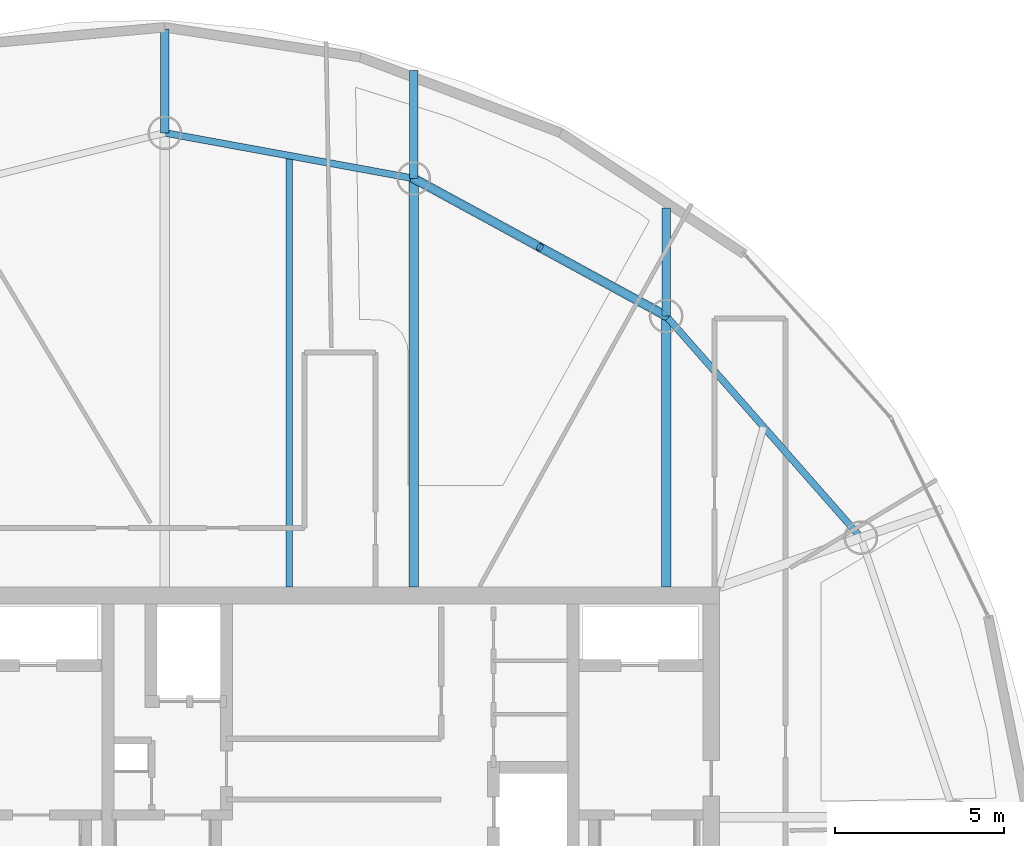
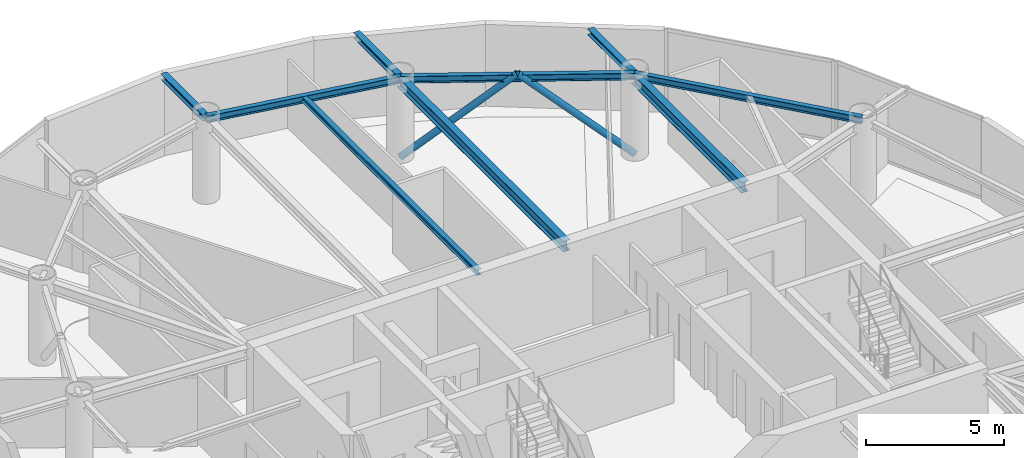
# One storey, part 13 of 21: 9 beams, 2 members.
"""IFC4 building model written with IfcOpenShell, lengths in metres."""

from ifc_helpers import new_model, si_unit, direction, frame, origin, origin_2d, place, context, subcontext, project, spatial, hollow_circle, i_section, extrude, material, material_profile, profile_set, type_object, element, save


model = new_model("IFC4")

# Units and contexts
model_context = context("Model", 3, precision=1e-05, world=origin(), true_north=direction((0.0, 1.0)))
body_context = subcontext(model_context, "Body", "Model", "MODEL_VIEW")
ifc_project = project(units=[si_unit("LENGTHUNIT", "METRE"), si_unit("AREAUNIT", "SQUARE_METRE"), si_unit("VOLUMEUNIT", "CUBIC_METRE"), si_unit("PLANEANGLEUNIT", "RADIAN"), si_unit("MASSUNIT", "GRAM", prefix="KILO")], contexts=[model_context])

# Site, building, storey
site_placement = place(None, origin())
site = spatial("IfcSite", under=ifc_project, at=site_placement, CompositionType="ELEMENT")
building_placement = place(site_placement, origin())
building = spatial("IfcBuilding", under=site, at=building_placement, Name="Bramvorn Convention Spire", CompositionType="ELEMENT")
storey_placement = place(building_placement, frame((0.0, 0.0, 257.449951171875)))
storey = spatial("IfcBuildingStorey", under=building, at=storey_placement, Name="L65", CompositionType="ELEMENT", Elevation=257.449951171875)

# Beams
ifc_material = material(Name="Steel CSA G40.21 Grade 350 (350W)", Category="steel")
ifc_material_profile_1 = material_profile(ifc_material, i_section(OverallWidth=0.201904296875, OverallDepth=0.2470703125, WebThickness=0.00732421875, FlangeThickness=0.010986328125, FilletRadius=0.011962890625, at=origin_2d()))
ifc_profile_set_1 = profile_set([ifc_material_profile_1], Name="Steel CSA G40.21 Grade 350 (350W) - W250X49")
beam_type_1 = type_object("IfcBeamType", Name="BM-W250X49", PredefinedType="JOIST", material=ifc_profile_set_1)
beam_1_placement = place(storey_placement, frame((36.498046875, 33.449951171875, 3.50146484375), z_axis=(0.0, 1.0, 0.0), x_axis=(-1.0, 0.0, 0.0)))
element("IfcBeam", 1, at=beam_1_placement, inside=storey, type_object=beam_type_1, Name="L65 composite floor joist 07", PredefinedType="JOIST", context=body_context, shape_type="SweptSolid", body=[
    extrude(i_section(OverallWidth=0.201904296875, OverallDepth=0.2470703125, WebThickness=0.00732421875, FlangeThickness=0.010986328125, FilletRadius=0.011962890625, at=origin_2d()), origin(), (0.0, 0.0, 1.0), 12.77587890625),
])
ifc_material_profile_2 = material_profile(ifc_material, i_section(OverallWidth=0.25390625, OverallDepth=0.2529296875, WebThickness=0.008544921875, FlangeThickness=0.01416015625, FilletRadius=0.011962890625, at=origin_2d()))
ifc_profile_set_2 = profile_set([ifc_material_profile_2], Name="Steel CSA G40.21 Grade 350 (350W) - W250X73")
beam_type_2 = type_object("IfcBeamType", Name="BM-W250X73", PredefinedType="BEAM", material=ifc_profile_set_2)
for number, where, z_axis, x_axis, name in (
    (2, (47.662353515625, 41.476806640625, 3.49853515625), (0.0, 1.0, 0.0), (-1.0, 0.0, 0.0), "L65 slab-edge cantilever tip beam MC06"),
    (3, (40.1845703125, 45.55078125, 3.49853515625), (0.0, 1.0, 0.0), (-1.0, 0.0, 0.0), "L65 slab-edge cantilever tip beam MC07"),
):
    element("IfcBeam", number, at=place(storey_placement, frame(where, z_axis=z_axis, x_axis=x_axis)), inside=storey, type_object=beam_type_2, Name=name, PredefinedType="BEAM", context=body_context, shape_type="SweptSolid", body=[
        extrude(i_section(OverallWidth=0.25390625, OverallDepth=0.2529296875, WebThickness=0.008544921875, FlangeThickness=0.01416015625, FilletRadius=0.011962890625, at=origin_2d()), origin(), (0.0, 0.0, 1.0), 3.199951171875),
    ])
beam_2_placement = place(storey_placement, frame((32.8115234375, 46.90087890625, 3.49853515625), z_axis=(0.0, 1.0, 0.0), x_axis=(-1.0, 0.0, 0.0)))
element("IfcBeam", 4, at=beam_2_placement, inside=storey, type_object=beam_type_2, Name="L65 slab-edge cantilever tip beam MC08", PredefinedType="BEAM", context=body_context, shape_type="SweptSolid", body=[
    extrude(i_section(OverallWidth=0.25390625, OverallDepth=0.2529296875, WebThickness=0.008544921875, FlangeThickness=0.01416015625, FilletRadius=0.011962890625, at=origin_2d()), origin(), (0.0, 0.0, 1.0), 3.082275390625),
])
ifc_material_profile_3 = material_profile(ifc_material, i_section(OverallWidth=0.202880859375, OverallDepth=0.302978515625, WebThickness=0.007568359375, FlangeThickness=0.01318359375, FilletRadius=0.013916015625, at=origin_2d()))
ifc_profile_set_3 = profile_set([ifc_material_profile_3], Name="Steel CSA G40.21 Grade 350 (350W) - W310X60")
beam_type_3 = type_object("IfcBeamType", Name="BM-W310X60", PredefinedType="JOIST", material=ifc_profile_set_3)
beam_3_placement = place(storey_placement, frame((53.4326171875, 34.909912109375, 3.4736328125), z_axis=(-0.660073062339, 0.751201405999, 0.0), x_axis=(-0.751201405999, -0.660073062339, 0.0)))
element("IfcBeam", 5, at=beam_3_placement, inside=storey, type_object=beam_type_3, Name="L65 mega-column ring beam 05", PredefinedType="JOIST", context=body_context, shape_type="SweptSolid", body=[
    extrude(i_section(OverallWidth=0.202880859375, OverallDepth=0.302978515625, WebThickness=0.007568359375, FlangeThickness=0.01318359375, FilletRadius=0.013916015625, at=origin_2d()), origin(), (0.0, 0.0, 1.0), 8.741943359375),
])
beam_4_placement = place(storey_placement, frame((47.662353515625, 41.476806640625, 3.4736328125), z_axis=(-0.878133224771, 0.478416178189, 0.0), x_axis=(-0.478416178189, -0.878133224771, 0.0)))
element("IfcBeam", 6, at=beam_4_placement, inside=storey, type_object=beam_type_3, Name="L65 mega-column ring beam 06", PredefinedType="JOIST", context=body_context, shape_type="SweptSolid", body=[
    extrude(i_section(OverallWidth=0.202880859375, OverallDepth=0.302978515625, WebThickness=0.007568359375, FlangeThickness=0.01318359375, FilletRadius=0.013916015625, at=origin_2d()), origin(), (0.0, 0.0, 1.0), 8.515625),
])
beam_5_placement = place(storey_placement, frame((40.1845703125, 45.55078125, 3.4736328125), z_axis=(-0.983645049461, 0.180117785547, 0.0), x_axis=(-0.180117785547, -0.983645049461, 0.0)))
element("IfcBeam", 7, at=beam_5_placement, inside=storey, type_object=beam_type_3, Name="L65 mega-column ring beam 07", PredefinedType="JOIST", context=body_context, shape_type="SweptSolid", body=[
    extrude(i_section(OverallWidth=0.202880859375, OverallDepth=0.302978515625, WebThickness=0.007568359375, FlangeThickness=0.01318359375, FilletRadius=0.013916015625, at=origin_2d()), origin(), (0.0, 0.0, 1.0), 7.49560546875),
])
ifc_material_profile_4 = material_profile(ifc_material, i_section(OverallWidth=0.283935546875, OverallDepth=0.47607421875, WebThickness=0.014892578125, FlangeThickness=0.02392578125, FilletRadius=0.01806640625, at=origin_2d()))
ifc_profile_set_4 = profile_set([ifc_material_profile_4], Name="Steel CSA G40.21 Grade 350 (350W) - W460X158")
beam_type_4 = type_object("IfcBeamType", Name="BM-W460X158", PredefinedType="SPANDREL", material=ifc_profile_set_4)
beam_6_placement = place(storey_placement, frame((47.662353515625, 33.449951171875, 3.386962890625), z_axis=(0.0, 1.0, 0.0), x_axis=(-1.0, 0.0, 0.0)))
element("IfcBeam", 8, at=beam_6_placement, inside=storey, type_object=beam_type_4, Name="L65 radial floor girder MC06", PredefinedType="SPANDREL", context=body_context, shape_type="SweptSolid", body=[
    extrude(i_section(OverallWidth=0.283935546875, OverallDepth=0.47607421875, WebThickness=0.014892578125, FlangeThickness=0.02392578125, FilletRadius=0.01806640625, at=origin_2d()), origin(), (0.0, 0.0, 1.0), 8.02685546875),
])
beam_7_placement = place(storey_placement, frame((40.1845703125, 33.449951171875, 3.386962890625), z_axis=(0.0, 1.0, 0.0), x_axis=(-1.0, 0.0, 0.0)))
element("IfcBeam", 9, at=beam_7_placement, inside=storey, type_object=beam_type_4, Name="L65 radial floor girder MC07", PredefinedType="SPANDREL", context=body_context, shape_type="SweptSolid", body=[
    extrude(i_section(OverallWidth=0.283935546875, OverallDepth=0.47607421875, WebThickness=0.014892578125, FlangeThickness=0.02392578125, FilletRadius=0.01806640625, at=origin_2d()), origin(), (0.0, 0.0, 1.0), 12.100830078125),
])

# Members
ifc_material_profile_5 = material_profile(ifc_material, hollow_circle(Radius=0.136474609375, WallThickness=0.0126953125, at=origin_2d()))
ifc_profile_set_5 = profile_set([ifc_material_profile_5], Name="Steel CSA G40.21 Grade 350 (350W) - CHS273X13")
member_type = type_object("IfcMemberType", Name="MBR-CHS273X13", PredefinedType="BRACE", material=ifc_profile_set_5)
member_1_placement = place(storey_placement, frame((47.662353515625, 41.476806640625, 0.0), z_axis=(-0.668634081548, 0.364288787231, 0.648245435379), x_axis=(-0.478426241072, -0.878127742332, 0.0)))
element("IfcMember", 10, at=member_1_placement, inside=storey, type_object=member_type, Name="L65 perimeter Gothic lancet brace 6A", PredefinedType="BRACE", context=body_context, shape_type="SweptSolid", body=[
    extrude(hollow_circle(Radius=0.136474609375, WallThickness=0.0126953125, at=origin_2d()), origin(), (0.0, 0.0, 1.0), 5.592041015625),
])
member_2_placement = place(storey_placement, frame((40.1845703125, 45.55078125, 0.0), z_axis=(0.668620574392, -0.364261554927, 0.64827466949), x_axis=(0.478406114461, 0.878138707521, 0.0)))
element("IfcMember", 11, at=member_2_placement, inside=storey, type_object=member_type, Name="L65 perimeter Gothic lancet brace 6B", PredefinedType="BRACE", context=body_context, shape_type="SweptSolid", body=[
    extrude(hollow_circle(Radius=0.136474609375, WallThickness=0.0126953125, at=origin_2d()), origin(), (0.0, 0.0, 1.0), 5.591796875),
])

save(model, "model.ifc")
